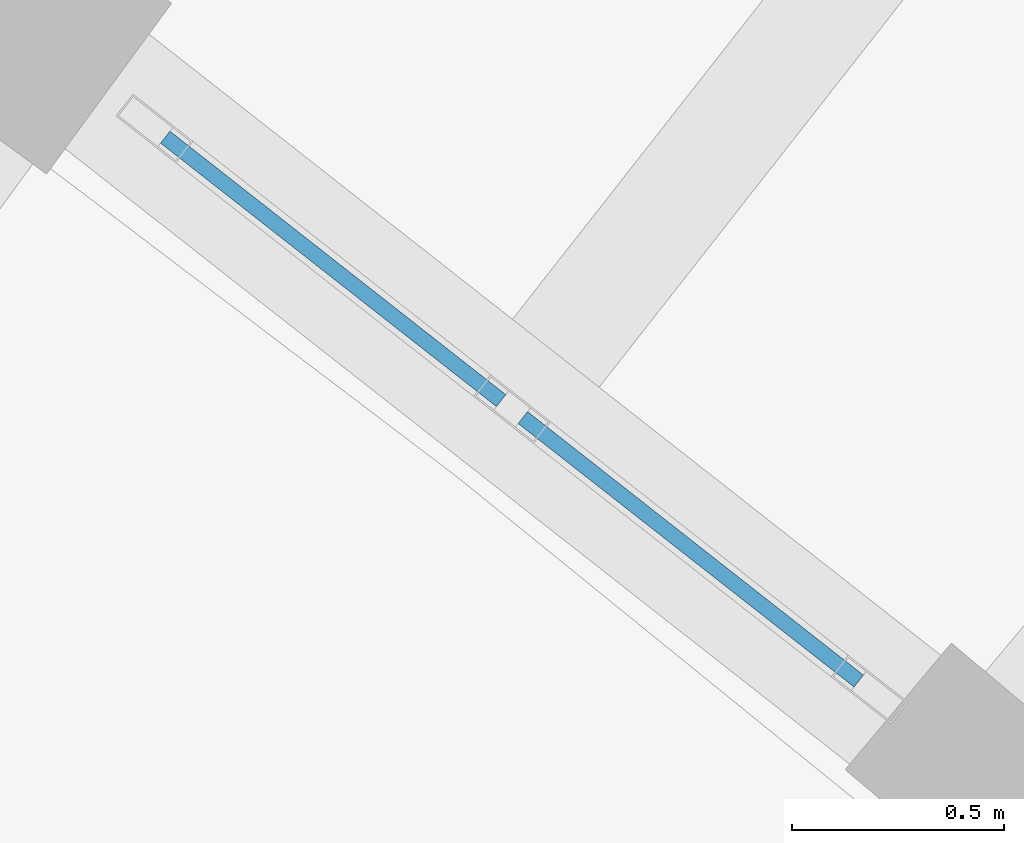
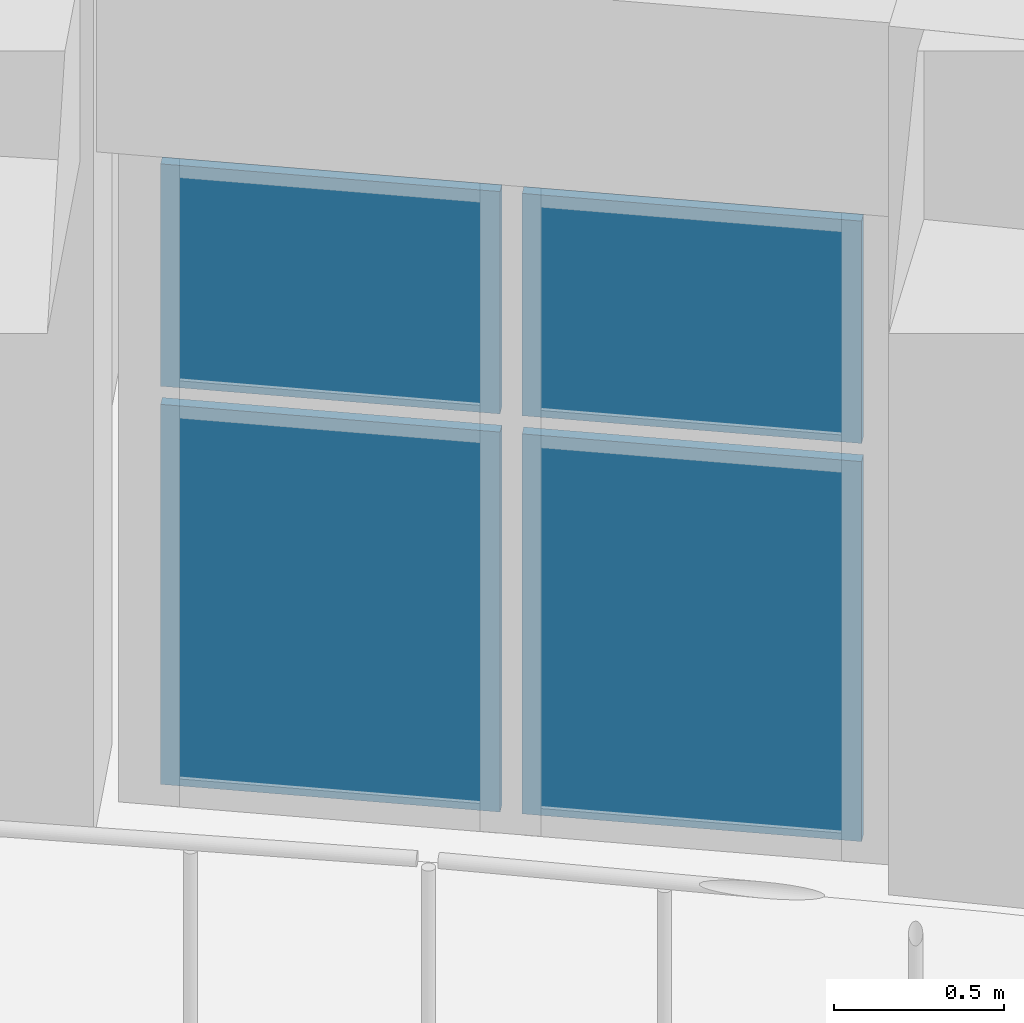
# One storey, part 31 of 62: 4 plates, 1 element without a shape of its own.
"""IFC4 building model written with IfcOpenShell, lengths in metres."""

from ifc_helpers import new_model, si_unit, direction, frame, origin, origin_2d, place, context, subcontext, project, spatial, rectangle, extrude, material, layer, layer_set, type_object, element, aggregate, save


model = new_model("IFC4")

# Units and contexts
model_context = context("Model", 3, precision=1e-05, world=origin(), true_north=direction((0.0, 1.0)))
body_context = subcontext(model_context, "Body", "Model", "MODEL_VIEW")
ifc_project = project(units=[si_unit("LENGTHUNIT", "METRE"), si_unit("AREAUNIT", "SQUARE_METRE"), si_unit("VOLUMEUNIT", "CUBIC_METRE"), si_unit("PLANEANGLEUNIT", "RADIAN"), si_unit("MASSUNIT", "GRAM", prefix="KILO")], contexts=[model_context])

# Site, building, storey
site_placement = place(None, origin())
site = spatial("IfcSite", under=ifc_project, at=site_placement, CompositionType="ELEMENT")
building_placement = place(site_placement, origin())
building = spatial("IfcBuilding", under=site, at=building_placement, Name="Tanwirah Colonnade Gardens", CompositionType="ELEMENT")
storey_placement = place(building_placement, frame((0.0, 0.0, 32.360107421875)))
storey = spatial("IfcBuildingStorey", under=building, at=storey_placement, Name="L09", CompositionType="ELEMENT", Elevation=32.360107421875)

# Curtain wall, plates
ifc_material_1 = material(Name="Bronze-anodised aluminium and solar-control low-E glass", Category="aluminium")
curtain_wall_type = type_object("IfcCurtainWallType", Name="CW-GDN", PredefinedType="NOTDEFINED", material=ifc_material_1)
curtain_wall_placement = place(storey_placement, origin())
curtain_wall = element("IfcCurtainWall", 1, at=curtain_wall_placement, inside=storey, type_object=curtain_wall_type, Name="Curtain Wall CW-B-L09-IN-09", PredefinedType="NOTDEFINED")
ifc_material_2 = material(Name="Insulated bronze aluminium spandrel panel", Category="aluminium")
ifc_layer = layer(ifc_material_2, 0.035888671875)
ifc_layer_set = layer_set([ifc_layer], Name="Insulated bronze aluminium spandrel panel")
plate_type = type_object("IfcPlateType", Name="CWP-SPN36", PredefinedType="CURTAIN_PANEL", material=ifc_layer_set)
plate_1_placement = place(storey_placement, frame((148.841064453125, 94.823974609375, 0.06494140625), z_axis=(0.0, 0.0, 1.0), x_axis=(-0.786815291166, 0.617188542982, 0.0)))
plate_1 = element("IfcPlate", 2, at=plate_1_placement, type_object=plate_type, Name="CW-GDN panel 1.1", PredefinedType="CURTAIN_PANEL", context=body_context, shape_type="SweptSolid", body=[
    extrude(rectangle(XDim=1.007568359375, YDim=0.035888671875, at=origin_2d()), origin(), (0.0, 0.0, 1.0), 1.362548828125),
])
plate_2_placement = place(storey_placement, frame((148.841064453125, 94.823974609375, 1.492431640625), z_axis=(0.0, 0.0, 1.0), x_axis=(-0.786815291166, 0.617188542982, 0.0)))
plate_2 = element("IfcPlate", 3, at=plate_2_placement, type_object=plate_type, Name="CW-GDN panel 1.2", PredefinedType="CURTAIN_PANEL", context=body_context, shape_type="SweptSolid", body=[
    extrude(rectangle(XDim=1.007568359375, YDim=0.035888671875, at=origin_2d()), origin(), (0.0, 0.0, 1.0), 0.79736328125),
])
plate_3_placement = place(storey_placement, frame((147.9970703125, 95.48583984375, 0.06494140625), z_axis=(0.0, 0.0, 1.0), x_axis=(-0.786815291166, 0.617188542982, 0.0)))
plate_3 = element("IfcPlate", 4, at=plate_3_placement, type_object=plate_type, Name="CW-GDN panel 2.1", PredefinedType="CURTAIN_PANEL", context=body_context, shape_type="SweptSolid", body=[
    extrude(rectangle(XDim=1.007568359375, YDim=0.035888671875, at=origin_2d()), origin(), (0.0, 0.0, 1.0), 1.362548828125),
])
plate_4_placement = place(storey_placement, frame((147.9970703125, 95.48583984375, 1.492431640625), z_axis=(0.0, 0.0, 1.0), x_axis=(-0.786815291166, 0.617188542982, 0.0)))
plate_4 = element("IfcPlate", 5, at=plate_4_placement, type_object=plate_type, Name="CW-GDN panel 2.2", PredefinedType="CURTAIN_PANEL", context=body_context, shape_type="SweptSolid", body=[
    extrude(rectangle(XDim=1.007568359375, YDim=0.035888671875, at=origin_2d()), origin(), (0.0, 0.0, 1.0), 0.79736328125),
])
aggregate(curtain_wall, [plate_1, plate_2, plate_3, plate_4])

save(model, "model.ifc")
